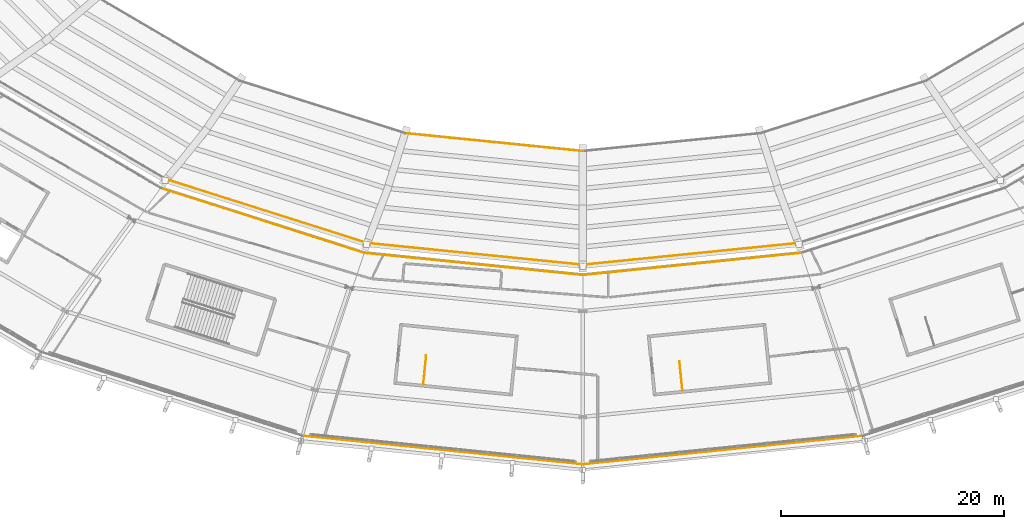
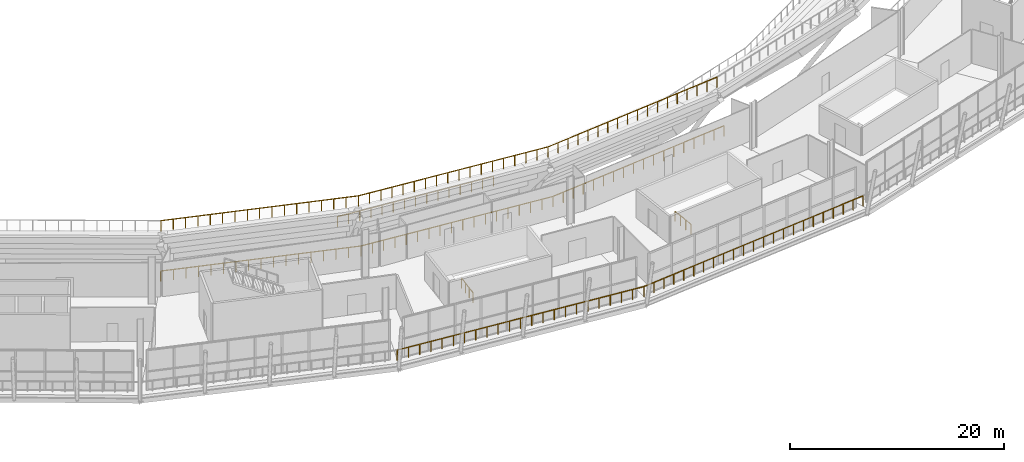
# One storey, part 110 of 126: 11 railings.
"""IFC4 building model written with IfcOpenShell, lengths in metres."""

from ifc_helpers import new_model, si_unit, direction, frame, origin, origin_2d, place, context, subcontext, project, spatial, rectangle, extrude, material, type_object, element, save


model = new_model("IFC4")

# Units and contexts
model_context = context("Model", 3, precision=1e-05, world=origin(), true_north=direction((0.0, 1.0)))
body_context = subcontext(model_context, "Body", "Model", "MODEL_VIEW")
ifc_project = project(units=[si_unit("LENGTHUNIT", "METRE"), si_unit("AREAUNIT", "SQUARE_METRE"), si_unit("VOLUMEUNIT", "CUBIC_METRE"), si_unit("PLANEANGLEUNIT", "RADIAN"), si_unit("MASSUNIT", "GRAM", prefix="KILO")], contexts=[model_context])

# Site, building, storey
site_placement = place(None, origin())
site = spatial("IfcSite", under=ifc_project, at=site_placement, CompositionType="ELEMENT")
building_placement = place(site_placement, origin())
building = spatial("IfcBuilding", under=site, at=building_placement, Name="Zlatoyarsky Gate Stadium", CompositionType="ELEMENT")
storey_placement = place(building_placement, frame((0.0, 0.0, 20.800048828125)))
storey = spatial("IfcBuildingStorey", under=building, at=storey_placement, Name="L04", CompositionType="ELEMENT", Elevation=20.800048828125)

# Railings
ifc_material_1 = material(Name="Galvanised steel sightline guardrail", Category="steel")
railing_type_1 = type_object("IfcRailingType", Name="BOWL FRONT SIGHTLINE GUARDRAIL 1150", PredefinedType="GUARDRAIL", material=ifc_material_1)
railing_1_placement = place(storey_placement, frame((95.043701171875, 34.45654296875, -4.400146484375)))
element("IfcRailing", 1, at=railing_1_placement, inside=storey, type_object=railing_type_1, Name="Upper bowl front guardrail 17", PredefinedType="GUARDRAIL", context=body_context, shape_type="SweptSolid", body=[
    extrude(rectangle(XDim=0.048095703125, YDim=0.048095703125, at=origin_2d()), frame((0.0, 0.0, 1.1259765625), z_axis=(0.994970193255, -0.100171425733, 0.0), x_axis=(0.100171425733, 0.994970193255, 0.0)), (0.0, 0.0, 1.0), 16.036865234375),
    extrude(rectangle(XDim=0.0419921875, YDim=0.0419921875, at=origin_2d()), origin(), (0.0, 0.0, 1.0), 1.101806640625),
    extrude(rectangle(XDim=0.0419921875, YDim=0.0419921875, at=origin_2d()), frame((1.1396484375, -0.11474609375, 0.0)), (0.0, 0.0, 1.0), 1.101806640625),
    extrude(rectangle(XDim=0.0419921875, YDim=0.0419921875, at=origin_2d()), frame((2.279541015625, -0.2294921875, 0.0)), (0.0, 0.0, 1.0), 1.101806640625),
    extrude(rectangle(XDim=0.0419921875, YDim=0.0419921875, at=origin_2d()), frame((3.419189453125, -0.34423828125, 0.0)), (0.0, 0.0, 1.0), 1.101806640625),
    extrude(rectangle(XDim=0.0419921875, YDim=0.0419921875, at=origin_2d()), frame((4.558837890625, -0.458984375, 0.0)), (0.0, 0.0, 1.0), 1.101806640625),
    extrude(rectangle(XDim=0.0419921875, YDim=0.0419921875, at=origin_2d()), frame((5.69873046875, -0.57373046875, 0.0)), (0.0, 0.0, 1.0), 1.101806640625),
    extrude(rectangle(XDim=0.0419921875, YDim=0.0419921875, at=origin_2d()), frame((6.83837890625, -0.6884765625, 0.0)), (0.0, 0.0, 1.0), 1.101806640625),
    extrude(rectangle(XDim=0.0419921875, YDim=0.0419921875, at=origin_2d()), frame((7.97802734375, -0.80322265625, 0.0)), (0.0, 0.0, 1.0), 1.101806640625),
    extrude(rectangle(XDim=0.0419921875, YDim=0.0419921875, at=origin_2d()), frame((9.117919921875, -0.91796875, 0.0)), (0.0, 0.0, 1.0), 1.101806640625),
    extrude(rectangle(XDim=0.0419921875, YDim=0.0419921875, at=origin_2d()), frame((10.257568359375, -1.03271484375, 0.0)), (0.0, 0.0, 1.0), 1.101806640625),
    extrude(rectangle(XDim=0.0419921875, YDim=0.0419921875, at=origin_2d()), frame((11.3974609375, -1.1474609375, 0.0)), (0.0, 0.0, 1.0), 1.101806640625),
    extrude(rectangle(XDim=0.0419921875, YDim=0.0419921875, at=origin_2d()), frame((12.537109375, -1.26220703125, 0.0)), (0.0, 0.0, 1.0), 1.101806640625),
    extrude(rectangle(XDim=0.0419921875, YDim=0.0419921875, at=origin_2d()), frame((13.6767578125, -1.376953125, 0.0)), (0.0, 0.0, 1.0), 1.101806640625),
    extrude(rectangle(XDim=0.0419921875, YDim=0.0419921875, at=origin_2d()), frame((14.816650390625, -1.49169921875, 0.0)), (0.0, 0.0, 1.0), 1.101806640625),
    extrude(rectangle(XDim=0.0419921875, YDim=0.0419921875, at=origin_2d()), frame((15.956298828125, -1.6064453125, 0.0)), (0.0, 0.0, 1.0), 1.101806640625),
])
ifc_material_2 = material(Name="Powder-coated steel tubular guardrail", Category="steel")
railing_type_2 = type_object("IfcRailingType", Name="CONCOURSE SLAB EDGE GUARDRAIL 1200", PredefinedType="GUARDRAIL", material=ifc_material_2)
railing_2_placement = place(storey_placement, frame((73.574951171875, 30.33349609375, 5.099853515625)))
element("IfcRailing", 2, at=railing_2_placement, inside=storey, type_object=railing_type_2, Name="Upper bowl back guardrail 16", PredefinedType="GUARDRAIL", context=body_context, shape_type="SweptSolid", body=[
    extrude(rectangle(XDim=0.048095703125, YDim=0.048095703125, at=origin_2d()), frame((0.0, 0.0, 1.17578125), z_axis=(0.953150168242, -0.302497531858, 0.0), x_axis=(0.302497531858, 0.953150168242, 0.0)), (0.0, 0.0, 1.0), 18.939697265625),
    extrude(rectangle(XDim=0.0419921875, YDim=0.0419921875, at=origin_2d()), origin(), (0.0, 0.0, 1.0), 1.15185546875),
    extrude(rectangle(XDim=0.0419921875, YDim=0.0419921875, at=origin_2d()), frame((1.128173828125, -0.358154296875, 0.0)), (0.0, 0.0, 1.0), 1.15185546875),
    extrude(rectangle(XDim=0.0419921875, YDim=0.0419921875, at=origin_2d()), frame((2.256591796875, -0.716064453125, 0.0)), (0.0, 0.0, 1.0), 1.15185546875),
    extrude(rectangle(XDim=0.0419921875, YDim=0.0419921875, at=origin_2d()), frame((3.384765625, -1.07421875, 0.0)), (0.0, 0.0, 1.0), 1.15185546875),
    extrude(rectangle(XDim=0.0419921875, YDim=0.0419921875, at=origin_2d()), frame((4.51318359375, -1.432373046875, 0.0)), (0.0, 0.0, 1.0), 1.15185546875),
    extrude(rectangle(XDim=0.0419921875, YDim=0.0419921875, at=origin_2d()), frame((5.641357421875, -1.790283203125, 0.0)), (0.0, 0.0, 1.0), 1.15185546875),
    extrude(rectangle(XDim=0.0419921875, YDim=0.0419921875, at=origin_2d()), frame((6.769775390625, -2.1484375, 0.0)), (0.0, 0.0, 1.0), 1.15185546875),
    extrude(rectangle(XDim=0.0419921875, YDim=0.0419921875, at=origin_2d()), frame((7.89794921875, -2.506591796875, 0.0)), (0.0, 0.0, 1.0), 1.15185546875),
    extrude(rectangle(XDim=0.0419921875, YDim=0.0419921875, at=origin_2d()), frame((9.0263671875, -2.86474609375, 0.0)), (0.0, 0.0, 1.0), 1.15185546875),
    extrude(rectangle(XDim=0.0419921875, YDim=0.0419921875, at=origin_2d()), frame((10.154541015625, -3.22265625, 0.0)), (0.0, 0.0, 1.0), 1.15185546875),
    extrude(rectangle(XDim=0.0419921875, YDim=0.0419921875, at=origin_2d()), frame((11.28271484375, -3.580810546875, 0.0)), (0.0, 0.0, 1.0), 1.15185546875),
    extrude(rectangle(XDim=0.0419921875, YDim=0.0419921875, at=origin_2d()), frame((12.4111328125, -3.93896484375, 0.0)), (0.0, 0.0, 1.0), 1.15185546875),
    extrude(rectangle(XDim=0.0419921875, YDim=0.0419921875, at=origin_2d()), frame((13.539306640625, -4.296875, 0.0)), (0.0, 0.0, 1.0), 1.15185546875),
    extrude(rectangle(XDim=0.0419921875, YDim=0.0419921875, at=origin_2d()), frame((14.667724609375, -4.655029296875, 0.0)), (0.0, 0.0, 1.0), 1.15185546875),
    extrude(rectangle(XDim=0.0419921875, YDim=0.0419921875, at=origin_2d()), frame((15.7958984375, -5.01318359375, 0.0)), (0.0, 0.0, 1.0), 1.15185546875),
    extrude(rectangle(XDim=0.0419921875, YDim=0.0419921875, at=origin_2d()), frame((16.92431640625, -5.37109375, 0.0)), (0.0, 0.0, 1.0), 1.15185546875),
    extrude(rectangle(XDim=0.0419921875, YDim=0.0419921875, at=origin_2d()), frame((18.052490234375, -5.729248046875, 0.0)), (0.0, 0.0, 1.0), 1.15185546875),
])
railing_3_placement = place(storey_placement, frame((73.110107421875, 29.528076171875, 0.0)))
element("IfcRailing", 3, at=railing_3_placement, inside=storey, type_object=railing_type_2, Name="L04 inner bowl edge guardrail 16", PredefinedType="GUARDRAIL", context=body_context, shape_type="SweptSolid", body=[
    extrude(rectangle(XDim=0.048095703125, YDim=0.048095703125, at=origin_2d()), frame((0.0, 0.0, 1.17578125), z_axis=(0.952820580538, -0.303534085901, 0.0), x_axis=(0.303534085901, 0.952820580538, 0.0)), (0.0, 0.0, 1.0), 19.181640625),
    extrude(rectangle(XDim=0.0419921875, YDim=0.0419921875, at=origin_2d()), origin(), (0.0, 0.0, 1.0), 1.15185546875),
    extrude(rectangle(XDim=0.0419921875, YDim=0.0419921875, at=origin_2d()), frame((1.142333984375, -0.36376953125, 0.0)), (0.0, 0.0, 1.0), 1.15185546875),
    extrude(rectangle(XDim=0.0419921875, YDim=0.0419921875, at=origin_2d()), frame((2.28466796875, -0.727783203125, 0.0)), (0.0, 0.0, 1.0), 1.15185546875),
    extrude(rectangle(XDim=0.0419921875, YDim=0.0419921875, at=origin_2d()), frame((3.4267578125, -1.091796875, 0.0)), (0.0, 0.0, 1.0), 1.15185546875),
    extrude(rectangle(XDim=0.0419921875, YDim=0.0419921875, at=origin_2d()), frame((4.569091796875, -1.45556640625, 0.0)), (0.0, 0.0, 1.0), 1.15185546875),
    extrude(rectangle(XDim=0.0419921875, YDim=0.0419921875, at=origin_2d()), frame((5.71142578125, -1.8193359375, 0.0)), (0.0, 0.0, 1.0), 1.15185546875),
    extrude(rectangle(XDim=0.0419921875, YDim=0.0419921875, at=origin_2d()), frame((6.853759765625, -2.183349609375, 0.0)), (0.0, 0.0, 1.0), 1.15185546875),
    extrude(rectangle(XDim=0.0419921875, YDim=0.0419921875, at=origin_2d()), frame((7.99609375, -2.54736328125, 0.0)), (0.0, 0.0, 1.0), 1.15185546875),
    extrude(rectangle(XDim=0.0419921875, YDim=0.0419921875, at=origin_2d()), frame((9.13818359375, -2.9111328125, 0.0)), (0.0, 0.0, 1.0), 1.15185546875),
    extrude(rectangle(XDim=0.0419921875, YDim=0.0419921875, at=origin_2d()), frame((10.280517578125, -3.27490234375, 0.0)), (0.0, 0.0, 1.0), 1.15185546875),
    extrude(rectangle(XDim=0.0419921875, YDim=0.0419921875, at=origin_2d()), frame((11.4228515625, -3.638916015625, 0.0)), (0.0, 0.0, 1.0), 1.15185546875),
    extrude(rectangle(XDim=0.0419921875, YDim=0.0419921875, at=origin_2d()), frame((12.565185546875, -4.0029296875, 0.0)), (0.0, 0.0, 1.0), 1.15185546875),
    extrude(rectangle(XDim=0.0419921875, YDim=0.0419921875, at=origin_2d()), frame((13.70751953125, -4.36669921875, 0.0)), (0.0, 0.0, 1.0), 1.15185546875),
    extrude(rectangle(XDim=0.0419921875, YDim=0.0419921875, at=origin_2d()), frame((14.849853515625, -4.73046875, 0.0)), (0.0, 0.0, 1.0), 1.15185546875),
    extrude(rectangle(XDim=0.0419921875, YDim=0.0419921875, at=origin_2d()), frame((15.991943359375, -5.094482421875, 0.0)), (0.0, 0.0, 1.0), 1.15185546875),
    extrude(rectangle(XDim=0.0419921875, YDim=0.0419921875, at=origin_2d()), frame((17.13427734375, -5.45849609375, 0.0)), (0.0, 0.0, 1.0), 1.15185546875),
    extrude(rectangle(XDim=0.0419921875, YDim=0.0419921875, at=origin_2d()), frame((18.276611328125, -5.822265625, 0.0)), (0.0, 0.0, 1.0), 1.15185546875),
])
railing_4_placement = place(storey_placement, frame((91.62744140625, 24.604248046875, 5.099853515625)))
element("IfcRailing", 4, at=railing_4_placement, inside=storey, type_object=railing_type_2, Name="Upper bowl back guardrail 17", PredefinedType="GUARDRAIL", context=body_context, shape_type="SweptSolid", body=[
    extrude(rectangle(XDim=0.048095703125, YDim=0.048095703125, at=origin_2d()), frame((0.0, 0.0, 1.17578125), z_axis=(0.994949908491, -0.100372703434, 0.0), x_axis=(0.100372703434, 0.994949908491, 0.0)), (0.0, 0.0, 1.0), 19.470947265625),
    extrude(rectangle(XDim=0.0419921875, YDim=0.0419921875, at=origin_2d()), origin(), (0.0, 0.0, 1.0), 1.15185546875),
    extrude(rectangle(XDim=0.0419921875, YDim=0.0419921875, at=origin_2d()), frame((1.1396484375, -0.114990234375, 0.0)), (0.0, 0.0, 1.0), 1.15185546875),
    extrude(rectangle(XDim=0.0419921875, YDim=0.0419921875, at=origin_2d()), frame((2.279052734375, -0.22998046875, 0.0)), (0.0, 0.0, 1.0), 1.15185546875),
    extrude(rectangle(XDim=0.0419921875, YDim=0.0419921875, at=origin_2d()), frame((3.418701171875, -0.344970703125, 0.0)), (0.0, 0.0, 1.0), 1.15185546875),
    extrude(rectangle(XDim=0.0419921875, YDim=0.0419921875, at=origin_2d()), frame((4.558349609375, -0.4599609375, 0.0)), (0.0, 0.0, 1.0), 1.15185546875),
    extrude(rectangle(XDim=0.0419921875, YDim=0.0419921875, at=origin_2d()), frame((5.69775390625, -0.57470703125, 0.0)), (0.0, 0.0, 1.0), 1.15185546875),
    extrude(rectangle(XDim=0.0419921875, YDim=0.0419921875, at=origin_2d()), frame((6.83740234375, -0.689697265625, 0.0)), (0.0, 0.0, 1.0), 1.15185546875),
    extrude(rectangle(XDim=0.0419921875, YDim=0.0419921875, at=origin_2d()), frame((7.97705078125, -0.8046875, 0.0)), (0.0, 0.0, 1.0), 1.15185546875),
    extrude(rectangle(XDim=0.0419921875, YDim=0.0419921875, at=origin_2d()), frame((9.116455078125, -0.919677734375, 0.0)), (0.0, 0.0, 1.0), 1.15185546875),
    extrude(rectangle(XDim=0.0419921875, YDim=0.0419921875, at=origin_2d()), frame((10.256103515625, -1.03466796875, 0.0)), (0.0, 0.0, 1.0), 1.15185546875),
    extrude(rectangle(XDim=0.0419921875, YDim=0.0419921875, at=origin_2d()), frame((11.3955078125, -1.149658203125, 0.0)), (0.0, 0.0, 1.0), 1.15185546875),
    extrude(rectangle(XDim=0.0419921875, YDim=0.0419921875, at=origin_2d()), frame((12.53515625, -1.2646484375, 0.0)), (0.0, 0.0, 1.0), 1.15185546875),
    extrude(rectangle(XDim=0.0419921875, YDim=0.0419921875, at=origin_2d()), frame((13.6748046875, -1.379638671875, 0.0)), (0.0, 0.0, 1.0), 1.15185546875),
    extrude(rectangle(XDim=0.0419921875, YDim=0.0419921875, at=origin_2d()), frame((14.814208984375, -1.494384765625, 0.0)), (0.0, 0.0, 1.0), 1.15185546875),
    extrude(rectangle(XDim=0.0419921875, YDim=0.0419921875, at=origin_2d()), frame((15.953857421875, -1.609375, 0.0)), (0.0, 0.0, 1.0), 1.15185546875),
    extrude(rectangle(XDim=0.0419921875, YDim=0.0419921875, at=origin_2d()), frame((17.093505859375, -1.724365234375, 0.0)), (0.0, 0.0, 1.0), 1.15185546875),
    extrude(rectangle(XDim=0.0419921875, YDim=0.0419921875, at=origin_2d()), frame((18.23291015625, -1.83935546875, 0.0)), (0.0, 0.0, 1.0), 1.15185546875),
    extrude(rectangle(XDim=0.0419921875, YDim=0.0419921875, at=origin_2d()), frame((19.37255859375, -1.954345703125, 0.0)), (0.0, 0.0, 1.0), 1.15185546875),
])
railing_5_placement = place(storey_placement, frame((91.38671875, 23.705810546875, 0.0)))
element("IfcRailing", 5, at=railing_5_placement, inside=storey, type_object=railing_type_2, Name="L04 inner bowl edge guardrail 17", PredefinedType="GUARDRAIL", context=body_context, shape_type="SweptSolid", body=[
    extrude(rectangle(XDim=0.048095703125, YDim=0.048095703125, at=origin_2d()), frame((0.0, 0.0, 1.17578125), z_axis=(0.994913320334, -0.100734725996, 0.0), x_axis=(0.100734725996, 0.994913320334, 0.0)), (0.0, 0.0, 1.0), 19.713623046875),
    extrude(rectangle(XDim=0.0419921875, YDim=0.0419921875, at=origin_2d()), origin(), (0.0, 0.0, 1.0), 1.15185546875),
    extrude(rectangle(XDim=0.0419921875, YDim=0.0419921875, at=origin_2d()), frame((1.15380859375, -0.11669921875, 0.0)), (0.0, 0.0, 1.0), 1.15185546875),
    extrude(rectangle(XDim=0.0419921875, YDim=0.0419921875, at=origin_2d()), frame((2.307373046875, -0.233642578125, 0.0)), (0.0, 0.0, 1.0), 1.15185546875),
    extrude(rectangle(XDim=0.0419921875, YDim=0.0419921875, at=origin_2d()), frame((3.461181640625, -0.350341796875, 0.0)), (0.0, 0.0, 1.0), 1.15185546875),
    extrude(rectangle(XDim=0.0419921875, YDim=0.0419921875, at=origin_2d()), frame((4.614990234375, -0.46728515625, 0.0)), (0.0, 0.0, 1.0), 1.15185546875),
    extrude(rectangle(XDim=0.0419921875, YDim=0.0419921875, at=origin_2d()), frame((5.7685546875, -0.583984375, 0.0)), (0.0, 0.0, 1.0), 1.15185546875),
    extrude(rectangle(XDim=0.0419921875, YDim=0.0419921875, at=origin_2d()), frame((6.92236328125, -0.700927734375, 0.0)), (0.0, 0.0, 1.0), 1.15185546875),
    extrude(rectangle(XDim=0.0419921875, YDim=0.0419921875, at=origin_2d()), frame((8.076171875, -0.817626953125, 0.0)), (0.0, 0.0, 1.0), 1.15185546875),
    extrude(rectangle(XDim=0.0419921875, YDim=0.0419921875, at=origin_2d()), frame((9.229736328125, -0.9345703125, 0.0)), (0.0, 0.0, 1.0), 1.15185546875),
    extrude(rectangle(XDim=0.0419921875, YDim=0.0419921875, at=origin_2d()), frame((10.383544921875, -1.05126953125, 0.0)), (0.0, 0.0, 1.0), 1.15185546875),
    extrude(rectangle(XDim=0.0419921875, YDim=0.0419921875, at=origin_2d()), frame((11.537109375, -1.168212890625, 0.0)), (0.0, 0.0, 1.0), 1.15185546875),
    extrude(rectangle(XDim=0.0419921875, YDim=0.0419921875, at=origin_2d()), frame((12.69091796875, -1.284912109375, 0.0)), (0.0, 0.0, 1.0), 1.15185546875),
    extrude(rectangle(XDim=0.0419921875, YDim=0.0419921875, at=origin_2d()), frame((13.8447265625, -1.40185546875, 0.0)), (0.0, 0.0, 1.0), 1.15185546875),
    extrude(rectangle(XDim=0.0419921875, YDim=0.0419921875, at=origin_2d()), frame((14.998291015625, -1.5185546875, 0.0)), (0.0, 0.0, 1.0), 1.15185546875),
    extrude(rectangle(XDim=0.0419921875, YDim=0.0419921875, at=origin_2d()), frame((16.152099609375, -1.635498046875, 0.0)), (0.0, 0.0, 1.0), 1.15185546875),
    extrude(rectangle(XDim=0.0419921875, YDim=0.0419921875, at=origin_2d()), frame((17.305908203125, -1.752197265625, 0.0)), (0.0, 0.0, 1.0), 1.15185546875),
    extrude(rectangle(XDim=0.0419921875, YDim=0.0419921875, at=origin_2d()), frame((18.45947265625, -1.869140625, 0.0)), (0.0, 0.0, 1.0), 1.15185546875),
    extrude(rectangle(XDim=0.0419921875, YDim=0.0419921875, at=origin_2d()), frame((19.61328125, -1.98583984375, 0.0)), (0.0, 0.0, 1.0), 1.15185546875),
])
railing_6_placement = place(storey_placement, frame((111.0, 22.64990234375, 5.099853515625)))
element("IfcRailing", 6, at=railing_6_placement, inside=storey, type_object=railing_type_2, Name="Upper bowl back guardrail 18", PredefinedType="GUARDRAIL", context=body_context, shape_type="SweptSolid", body=[
    extrude(rectangle(XDim=0.048095703125, YDim=0.048095703125, at=origin_2d()), frame((0.0, 0.0, 1.17578125), z_axis=(0.994949908491, 0.100372703434, 0.0), x_axis=(-0.100372703434, 0.994949908491, 0.0)), (0.0, 0.0, 1.0), 19.470947265625),
    extrude(rectangle(XDim=0.0419921875, YDim=0.0419921875, at=origin_2d()), origin(), (0.0, 0.0, 1.0), 1.15185546875),
    extrude(rectangle(XDim=0.0419921875, YDim=0.0419921875, at=origin_2d()), frame((1.1396484375, 0.114990234375, 0.0)), (0.0, 0.0, 1.0), 1.15185546875),
    extrude(rectangle(XDim=0.0419921875, YDim=0.0419921875, at=origin_2d()), frame((2.279052734375, 0.22998046875, 0.0)), (0.0, 0.0, 1.0), 1.15185546875),
    extrude(rectangle(XDim=0.0419921875, YDim=0.0419921875, at=origin_2d()), frame((3.418701171875, 0.344970703125, 0.0)), (0.0, 0.0, 1.0), 1.15185546875),
    extrude(rectangle(XDim=0.0419921875, YDim=0.0419921875, at=origin_2d()), frame((4.558349609375, 0.4599609375, 0.0)), (0.0, 0.0, 1.0), 1.15185546875),
    extrude(rectangle(XDim=0.0419921875, YDim=0.0419921875, at=origin_2d()), frame((5.69775390625, 0.57470703125, 0.0)), (0.0, 0.0, 1.0), 1.15185546875),
    extrude(rectangle(XDim=0.0419921875, YDim=0.0419921875, at=origin_2d()), frame((6.83740234375, 0.689697265625, 0.0)), (0.0, 0.0, 1.0), 1.15185546875),
    extrude(rectangle(XDim=0.0419921875, YDim=0.0419921875, at=origin_2d()), frame((7.97705078125, 0.8046875, 0.0)), (0.0, 0.0, 1.0), 1.15185546875),
    extrude(rectangle(XDim=0.0419921875, YDim=0.0419921875, at=origin_2d()), frame((9.116455078125, 0.919677734375, 0.0)), (0.0, 0.0, 1.0), 1.15185546875),
    extrude(rectangle(XDim=0.0419921875, YDim=0.0419921875, at=origin_2d()), frame((10.256103515625, 1.03466796875, 0.0)), (0.0, 0.0, 1.0), 1.15185546875),
    extrude(rectangle(XDim=0.0419921875, YDim=0.0419921875, at=origin_2d()), frame((11.3955078125, 1.149658203125, 0.0)), (0.0, 0.0, 1.0), 1.15185546875),
    extrude(rectangle(XDim=0.0419921875, YDim=0.0419921875, at=origin_2d()), frame((12.53515625, 1.2646484375, 0.0)), (0.0, 0.0, 1.0), 1.15185546875),
    extrude(rectangle(XDim=0.0419921875, YDim=0.0419921875, at=origin_2d()), frame((13.6748046875, 1.379638671875, 0.0)), (0.0, 0.0, 1.0), 1.15185546875),
    extrude(rectangle(XDim=0.0419921875, YDim=0.0419921875, at=origin_2d()), frame((14.814208984375, 1.494384765625, 0.0)), (0.0, 0.0, 1.0), 1.15185546875),
    extrude(rectangle(XDim=0.0419921875, YDim=0.0419921875, at=origin_2d()), frame((15.953857421875, 1.609375, 0.0)), (0.0, 0.0, 1.0), 1.15185546875),
    extrude(rectangle(XDim=0.0419921875, YDim=0.0419921875, at=origin_2d()), frame((17.093505859375, 1.724365234375, 0.0)), (0.0, 0.0, 1.0), 1.15185546875),
    extrude(rectangle(XDim=0.0419921875, YDim=0.0419921875, at=origin_2d()), frame((18.23291015625, 1.83935546875, 0.0)), (0.0, 0.0, 1.0), 1.15185546875),
    extrude(rectangle(XDim=0.0419921875, YDim=0.0419921875, at=origin_2d()), frame((19.37255859375, 1.954345703125, 0.0)), (0.0, 0.0, 1.0), 1.15185546875),
])
railing_7_placement = place(storey_placement, frame((111.0, 21.719970703125, 0.0)))
element("IfcRailing", 7, at=railing_7_placement, inside=storey, type_object=railing_type_2, Name="L04 inner bowl edge guardrail 18", PredefinedType="GUARDRAIL", context=body_context, shape_type="SweptSolid", body=[
    extrude(rectangle(XDim=0.048095703125, YDim=0.048095703125, at=origin_2d()), frame((0.0, 0.0, 1.17578125), z_axis=(0.994913320334, 0.100734725996, 0.0), x_axis=(-0.100734725996, 0.994913320334, 0.0)), (0.0, 0.0, 1.0), 19.713623046875),
    extrude(rectangle(XDim=0.0419921875, YDim=0.0419921875, at=origin_2d()), origin(), (0.0, 0.0, 1.0), 1.15185546875),
    extrude(rectangle(XDim=0.0419921875, YDim=0.0419921875, at=origin_2d()), frame((1.15380859375, 0.11669921875, 0.0)), (0.0, 0.0, 1.0), 1.15185546875),
    extrude(rectangle(XDim=0.0419921875, YDim=0.0419921875, at=origin_2d()), frame((2.307373046875, 0.233642578125, 0.0)), (0.0, 0.0, 1.0), 1.15185546875),
    extrude(rectangle(XDim=0.0419921875, YDim=0.0419921875, at=origin_2d()), frame((3.461181640625, 0.350341796875, 0.0)), (0.0, 0.0, 1.0), 1.15185546875),
    extrude(rectangle(XDim=0.0419921875, YDim=0.0419921875, at=origin_2d()), frame((4.614990234375, 0.46728515625, 0.0)), (0.0, 0.0, 1.0), 1.15185546875),
    extrude(rectangle(XDim=0.0419921875, YDim=0.0419921875, at=origin_2d()), frame((5.7685546875, 0.583984375, 0.0)), (0.0, 0.0, 1.0), 1.15185546875),
    extrude(rectangle(XDim=0.0419921875, YDim=0.0419921875, at=origin_2d()), frame((6.92236328125, 0.700927734375, 0.0)), (0.0, 0.0, 1.0), 1.15185546875),
    extrude(rectangle(XDim=0.0419921875, YDim=0.0419921875, at=origin_2d()), frame((8.076171875, 0.817626953125, 0.0)), (0.0, 0.0, 1.0), 1.15185546875),
    extrude(rectangle(XDim=0.0419921875, YDim=0.0419921875, at=origin_2d()), frame((9.229736328125, 0.9345703125, 0.0)), (0.0, 0.0, 1.0), 1.15185546875),
    extrude(rectangle(XDim=0.0419921875, YDim=0.0419921875, at=origin_2d()), frame((10.383544921875, 1.05126953125, 0.0)), (0.0, 0.0, 1.0), 1.15185546875),
    extrude(rectangle(XDim=0.0419921875, YDim=0.0419921875, at=origin_2d()), frame((11.537109375, 1.168212890625, 0.0)), (0.0, 0.0, 1.0), 1.15185546875),
    extrude(rectangle(XDim=0.0419921875, YDim=0.0419921875, at=origin_2d()), frame((12.69091796875, 1.284912109375, 0.0)), (0.0, 0.0, 1.0), 1.15185546875),
    extrude(rectangle(XDim=0.0419921875, YDim=0.0419921875, at=origin_2d()), frame((13.8447265625, 1.40185546875, 0.0)), (0.0, 0.0, 1.0), 1.15185546875),
    extrude(rectangle(XDim=0.0419921875, YDim=0.0419921875, at=origin_2d()), frame((14.998291015625, 1.5185546875, 0.0)), (0.0, 0.0, 1.0), 1.15185546875),
    extrude(rectangle(XDim=0.0419921875, YDim=0.0419921875, at=origin_2d()), frame((16.152099609375, 1.635498046875, 0.0)), (0.0, 0.0, 1.0), 1.15185546875),
    extrude(rectangle(XDim=0.0419921875, YDim=0.0419921875, at=origin_2d()), frame((17.305908203125, 1.752197265625, 0.0)), (0.0, 0.0, 1.0), 1.15185546875),
    extrude(rectangle(XDim=0.0419921875, YDim=0.0419921875, at=origin_2d()), frame((18.45947265625, 1.869140625, 0.0)), (0.0, 0.0, 1.0), 1.15185546875),
    extrude(rectangle(XDim=0.0419921875, YDim=0.0419921875, at=origin_2d()), frame((19.61328125, 1.98583984375, 0.0)), (0.0, 0.0, 1.0), 1.15185546875),
])
railing_8_placement = place(storey_placement, frame((85.82470703125, 7.295166015625, 0.0)))
element("IfcRailing", 8, at=railing_8_placement, inside=storey, type_object=railing_type_2, Name="L04 outer slab edge guardrail 17", PredefinedType="GUARDRAIL", context=body_context, shape_type="SweptSolid", body=[
    extrude(rectangle(XDim=0.048095703125, YDim=0.048095703125, at=origin_2d()), frame((0.0, 0.0, 1.17578125), z_axis=(0.994850930845, -0.101349027605, 0.0), x_axis=(0.101349027605, 0.994850930845, 0.0)), (0.0, 0.0, 1.0), 25.3056640625),
    extrude(rectangle(XDim=0.0419921875, YDim=0.0419921875, at=origin_2d()), origin(), (0.0, 0.0, 1.0), 1.15185546875),
    extrude(rectangle(XDim=0.0419921875, YDim=0.0419921875, at=origin_2d()), frame((1.144287109375, -0.11669921875, 0.0)), (0.0, 0.0, 1.0), 1.15185546875),
    extrude(rectangle(XDim=0.0419921875, YDim=0.0419921875, at=origin_2d()), frame((2.28857421875, -0.233154296875, 0.0)), (0.0, 0.0, 1.0), 1.15185546875),
    extrude(rectangle(XDim=0.0419921875, YDim=0.0419921875, at=origin_2d()), frame((3.43310546875, -0.349609375, 0.0)), (0.0, 0.0, 1.0), 1.15185546875),
    extrude(rectangle(XDim=0.0419921875, YDim=0.0419921875, at=origin_2d()), frame((4.577392578125, -0.46630859375, 0.0)), (0.0, 0.0, 1.0), 1.15185546875),
    extrude(rectangle(XDim=0.0419921875, YDim=0.0419921875, at=origin_2d()), frame((5.7216796875, -0.5830078125, 0.0)), (0.0, 0.0, 1.0), 1.15185546875),
    extrude(rectangle(XDim=0.0419921875, YDim=0.0419921875, at=origin_2d()), frame((6.865966796875, -0.699462890625, 0.0)), (0.0, 0.0, 1.0), 1.15185546875),
    extrude(rectangle(XDim=0.0419921875, YDim=0.0419921875, at=origin_2d()), frame((8.01025390625, -0.81591796875, 0.0)), (0.0, 0.0, 1.0), 1.15185546875),
    extrude(rectangle(XDim=0.0419921875, YDim=0.0419921875, at=origin_2d()), frame((9.154541015625, -0.9326171875, 0.0)), (0.0, 0.0, 1.0), 1.15185546875),
    extrude(rectangle(XDim=0.0419921875, YDim=0.0419921875, at=origin_2d()), frame((10.299072265625, -1.04931640625, 0.0)), (0.0, 0.0, 1.0), 1.15185546875),
    extrude(rectangle(XDim=0.0419921875, YDim=0.0419921875, at=origin_2d()), frame((11.443359375, -1.165771484375, 0.0)), (0.0, 0.0, 1.0), 1.15185546875),
    extrude(rectangle(XDim=0.0419921875, YDim=0.0419921875, at=origin_2d()), frame((12.587646484375, -1.2822265625, 0.0)), (0.0, 0.0, 1.0), 1.15185546875),
    extrude(rectangle(XDim=0.0419921875, YDim=0.0419921875, at=origin_2d()), frame((13.73193359375, -1.39892578125, 0.0)), (0.0, 0.0, 1.0), 1.15185546875),
    extrude(rectangle(XDim=0.0419921875, YDim=0.0419921875, at=origin_2d()), frame((14.876220703125, -1.515625, 0.0)), (0.0, 0.0, 1.0), 1.15185546875),
    extrude(rectangle(XDim=0.0419921875, YDim=0.0419921875, at=origin_2d()), frame((16.020751953125, -1.632080078125, 0.0)), (0.0, 0.0, 1.0), 1.15185546875),
    extrude(rectangle(XDim=0.0419921875, YDim=0.0419921875, at=origin_2d()), frame((17.1650390625, -1.74853515625, 0.0)), (0.0, 0.0, 1.0), 1.15185546875),
    extrude(rectangle(XDim=0.0419921875, YDim=0.0419921875, at=origin_2d()), frame((18.309326171875, -1.865234375, 0.0)), (0.0, 0.0, 1.0), 1.15185546875),
    extrude(rectangle(XDim=0.0419921875, YDim=0.0419921875, at=origin_2d()), frame((19.45361328125, -1.98193359375, 0.0)), (0.0, 0.0, 1.0), 1.15185546875),
    extrude(rectangle(XDim=0.0419921875, YDim=0.0419921875, at=origin_2d()), frame((20.597900390625, -2.098388671875, 0.0)), (0.0, 0.0, 1.0), 1.15185546875),
    extrude(rectangle(XDim=0.0419921875, YDim=0.0419921875, at=origin_2d()), frame((21.7421875, -2.21484375, 0.0)), (0.0, 0.0, 1.0), 1.15185546875),
    extrude(rectangle(XDim=0.0419921875, YDim=0.0419921875, at=origin_2d()), frame((22.88671875, -2.33154296875, 0.0)), (0.0, 0.0, 1.0), 1.15185546875),
    extrude(rectangle(XDim=0.0419921875, YDim=0.0419921875, at=origin_2d()), frame((24.031005859375, -2.4482421875, 0.0)), (0.0, 0.0, 1.0), 1.15185546875),
    extrude(rectangle(XDim=0.0419921875, YDim=0.0419921875, at=origin_2d()), frame((25.17529296875, -2.564697265625, 0.0)), (0.0, 0.0, 1.0), 1.15185546875),
])
railing_9_placement = place(storey_placement, frame((111.0, 4.73046875, 0.0)))
element("IfcRailing", 9, at=railing_9_placement, inside=storey, type_object=railing_type_2, Name="L04 outer slab edge guardrail 18", PredefinedType="GUARDRAIL", context=body_context, shape_type="SweptSolid", body=[
    extrude(rectangle(XDim=0.048095703125, YDim=0.048095703125, at=origin_2d()), frame((0.0, 0.0, 1.17578125), z_axis=(0.994850930845, 0.101349027605, 0.0), x_axis=(-0.101349027605, 0.994850930845, 0.0)), (0.0, 0.0, 1.0), 25.3056640625),
    extrude(rectangle(XDim=0.0419921875, YDim=0.0419921875, at=origin_2d()), origin(), (0.0, 0.0, 1.0), 1.15185546875),
    extrude(rectangle(XDim=0.0419921875, YDim=0.0419921875, at=origin_2d()), frame((1.144287109375, 0.11669921875, 0.0)), (0.0, 0.0, 1.0), 1.15185546875),
    extrude(rectangle(XDim=0.0419921875, YDim=0.0419921875, at=origin_2d()), frame((2.28857421875, 0.233154296875, 0.0)), (0.0, 0.0, 1.0), 1.15185546875),
    extrude(rectangle(XDim=0.0419921875, YDim=0.0419921875, at=origin_2d()), frame((3.43310546875, 0.349609375, 0.0)), (0.0, 0.0, 1.0), 1.15185546875),
    extrude(rectangle(XDim=0.0419921875, YDim=0.0419921875, at=origin_2d()), frame((4.577392578125, 0.46630859375, 0.0)), (0.0, 0.0, 1.0), 1.15185546875),
    extrude(rectangle(XDim=0.0419921875, YDim=0.0419921875, at=origin_2d()), frame((5.7216796875, 0.5830078125, 0.0)), (0.0, 0.0, 1.0), 1.15185546875),
    extrude(rectangle(XDim=0.0419921875, YDim=0.0419921875, at=origin_2d()), frame((6.865966796875, 0.699462890625, 0.0)), (0.0, 0.0, 1.0), 1.15185546875),
    extrude(rectangle(XDim=0.0419921875, YDim=0.0419921875, at=origin_2d()), frame((8.01025390625, 0.81591796875, 0.0)), (0.0, 0.0, 1.0), 1.15185546875),
    extrude(rectangle(XDim=0.0419921875, YDim=0.0419921875, at=origin_2d()), frame((9.154541015625, 0.9326171875, 0.0)), (0.0, 0.0, 1.0), 1.15185546875),
    extrude(rectangle(XDim=0.0419921875, YDim=0.0419921875, at=origin_2d()), frame((10.299072265625, 1.04931640625, 0.0)), (0.0, 0.0, 1.0), 1.15185546875),
    extrude(rectangle(XDim=0.0419921875, YDim=0.0419921875, at=origin_2d()), frame((11.443359375, 1.165771484375, 0.0)), (0.0, 0.0, 1.0), 1.15185546875),
    extrude(rectangle(XDim=0.0419921875, YDim=0.0419921875, at=origin_2d()), frame((12.587646484375, 1.2822265625, 0.0)), (0.0, 0.0, 1.0), 1.15185546875),
    extrude(rectangle(XDim=0.0419921875, YDim=0.0419921875, at=origin_2d()), frame((13.73193359375, 1.39892578125, 0.0)), (0.0, 0.0, 1.0), 1.15185546875),
    extrude(rectangle(XDim=0.0419921875, YDim=0.0419921875, at=origin_2d()), frame((14.876220703125, 1.515625, 0.0)), (0.0, 0.0, 1.0), 1.15185546875),
    extrude(rectangle(XDim=0.0419921875, YDim=0.0419921875, at=origin_2d()), frame((16.020751953125, 1.632080078125, 0.0)), (0.0, 0.0, 1.0), 1.15185546875),
    extrude(rectangle(XDim=0.0419921875, YDim=0.0419921875, at=origin_2d()), frame((17.1650390625, 1.74853515625, 0.0)), (0.0, 0.0, 1.0), 1.15185546875),
    extrude(rectangle(XDim=0.0419921875, YDim=0.0419921875, at=origin_2d()), frame((18.309326171875, 1.865234375, 0.0)), (0.0, 0.0, 1.0), 1.15185546875),
    extrude(rectangle(XDim=0.0419921875, YDim=0.0419921875, at=origin_2d()), frame((19.45361328125, 1.98193359375, 0.0)), (0.0, 0.0, 1.0), 1.15185546875),
    extrude(rectangle(XDim=0.0419921875, YDim=0.0419921875, at=origin_2d()), frame((20.597900390625, 2.098388671875, 0.0)), (0.0, 0.0, 1.0), 1.15185546875),
    extrude(rectangle(XDim=0.0419921875, YDim=0.0419921875, at=origin_2d()), frame((21.7421875, 2.21484375, 0.0)), (0.0, 0.0, 1.0), 1.15185546875),
    extrude(rectangle(XDim=0.0419921875, YDim=0.0419921875, at=origin_2d()), frame((22.88671875, 2.33154296875, 0.0)), (0.0, 0.0, 1.0), 1.15185546875),
    extrude(rectangle(XDim=0.0419921875, YDim=0.0419921875, at=origin_2d()), frame((24.031005859375, 2.4482421875, 0.0)), (0.0, 0.0, 1.0), 1.15185546875),
    extrude(rectangle(XDim=0.0419921875, YDim=0.0419921875, at=origin_2d()), frame((25.17529296875, 2.564697265625, 0.0)), (0.0, 0.0, 1.0), 1.15185546875),
])
ifc_material_3 = material(Name="Powder-coated steel stair guardrail", Category="steel")
railing_type_3 = type_object("IfcRailingType", Name="PAINTED STEEL STAIR WELL GUARDRAIL 1150", PredefinedType="GUARDRAIL", material=ifc_material_3)
railing_10_placement = place(storey_placement, frame((119.9462890625, 11.374267578125, 0.0)))
element("IfcRailing", 10, at=railing_10_placement, inside=storey, type_object=railing_type_3, Name="ST-10 L04 top well guard 1", PredefinedType="GUARDRAIL", context=body_context, shape_type="SweptSolid", body=[
    extrude(rectangle(XDim=0.048095703125, YDim=0.048095703125, at=origin_2d()), frame((0.0, 0.0, 1.1259765625), z_axis=(-0.100005757291, 0.99498685846, 0.0), x_axis=(-0.99498685846, -0.100005757291, 0.0)), (0.0, 0.0, 1.0), 2.599853515625),
    extrude(rectangle(XDim=0.0419921875, YDim=0.0419921875, at=origin_2d()), origin(), (0.0, 0.0, 1.0), 1.101806640625),
    extrude(rectangle(XDim=0.0419921875, YDim=0.0419921875, at=origin_2d()), frame((-0.086669921875, 0.8623046875, 0.0)), (0.0, 0.0, 1.0), 1.101806640625),
    extrude(rectangle(XDim=0.0419921875, YDim=0.0419921875, at=origin_2d()), frame((-0.17333984375, 1.724609375, 0.0)), (0.0, 0.0, 1.0), 1.101806640625),
    extrude(rectangle(XDim=0.0419921875, YDim=0.0419921875, at=origin_2d()), frame((-0.260009765625, 2.5869140625, 0.0)), (0.0, 0.0, 1.0), 1.101806640625),
])
railing_11_placement = place(storey_placement, frame((96.6806640625, 11.914306640625, 0.0)))
element("IfcRailing", 11, at=railing_11_placement, inside=storey, type_object=railing_type_3, Name="ST-19 L04 top well guard 1", PredefinedType="GUARDRAIL", context=body_context, shape_type="SweptSolid", body=[
    extrude(rectangle(XDim=0.048095703125, YDim=0.048095703125, at=origin_2d()), frame((0.0, 0.0, 1.1259765625), z_axis=(0.100005757291, 0.99498685846, 0.0), x_axis=(-0.99498685846, 0.100005757291, 0.0)), (0.0, 0.0, 1.0), 2.599853515625),
    extrude(rectangle(XDim=0.0419921875, YDim=0.0419921875, at=origin_2d()), origin(), (0.0, 0.0, 1.0), 1.101806640625),
    extrude(rectangle(XDim=0.0419921875, YDim=0.0419921875, at=origin_2d()), frame((0.086669921875, 0.8623046875, 0.0)), (0.0, 0.0, 1.0), 1.101806640625),
    extrude(rectangle(XDim=0.0419921875, YDim=0.0419921875, at=origin_2d()), frame((0.17333984375, 1.724609375, 0.0)), (0.0, 0.0, 1.0), 1.101806640625),
    extrude(rectangle(XDim=0.0419921875, YDim=0.0419921875, at=origin_2d()), frame((0.260009765625, 2.5869140625, 0.0)), (0.0, 0.0, 1.0), 1.101806640625),
])

save(model, "model.ifc")
